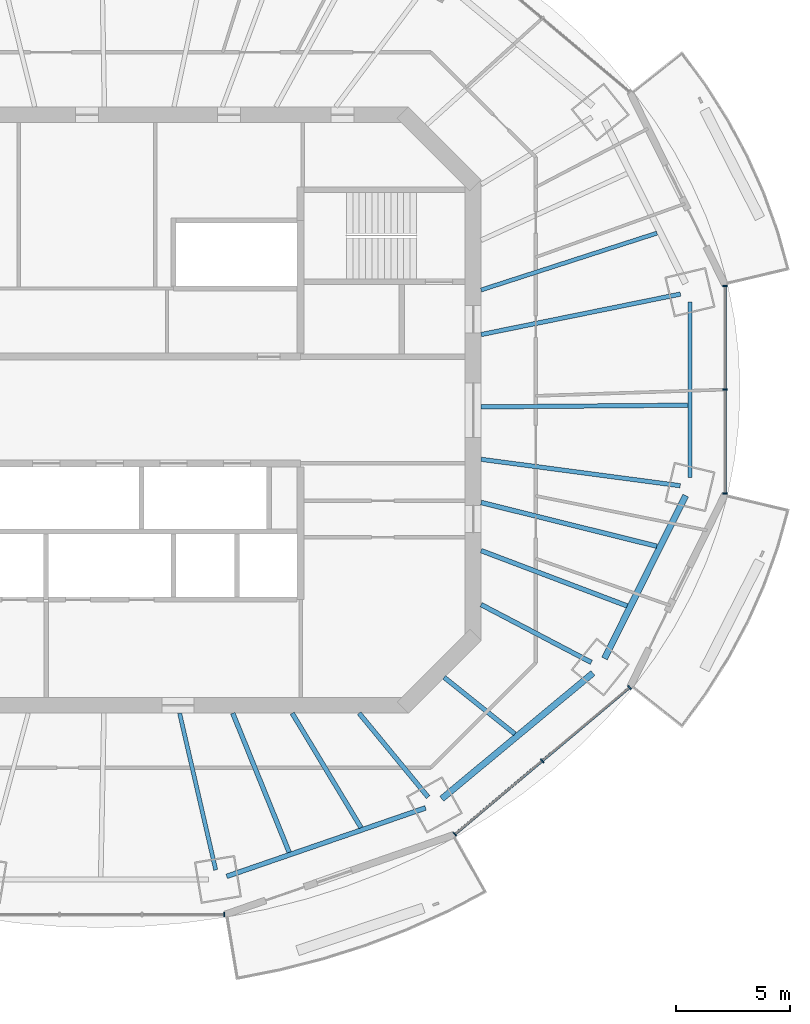
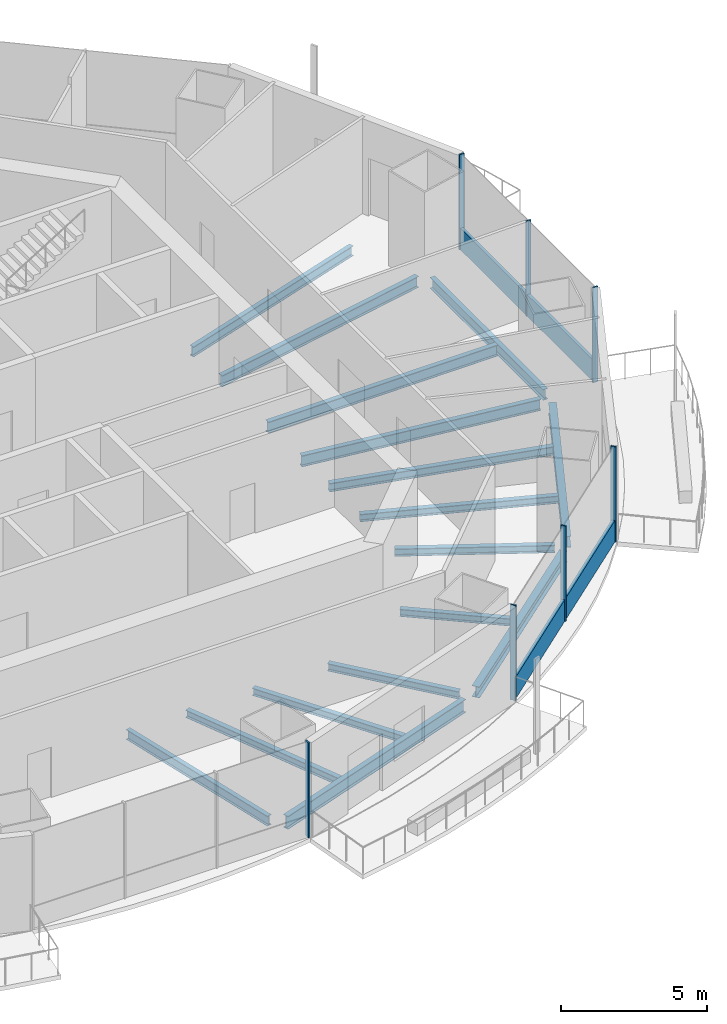
# One storey, part 4 of 16: 16 beams, 9 members, 3 elements without a shape of their own.
"""IFC4 building model written with IfcOpenShell, lengths in metres."""

from ifc_helpers import new_model, si_unit, direction, frame, origin, origin_2d, place, context, subcontext, project, spatial, rectangle, i_section, extrude, material, material_profile, profile_set, type_object, element, aggregate, save


model = new_model("IFC4")

# Units and contexts
model_context = context("Model", 3, precision=1e-05, world=origin(), true_north=direction((0.0, 1.0)))
body_context = subcontext(model_context, "Body", "Model", "MODEL_VIEW")
ifc_project = project(units=[si_unit("LENGTHUNIT", "METRE"), si_unit("AREAUNIT", "SQUARE_METRE"), si_unit("VOLUMEUNIT", "CUBIC_METRE"), si_unit("PLANEANGLEUNIT", "RADIAN"), si_unit("MASSUNIT", "GRAM", prefix="KILO")], contexts=[model_context])

# Site, building, storey
site_placement = place(None, origin())
site = spatial("IfcSite", under=ifc_project, at=site_placement, CompositionType="ELEMENT")
building_placement = place(site_placement, origin())
building = spatial("IfcBuilding", under=site, at=building_placement, Name="Marenthal Gate Tower", CompositionType="ELEMENT")
storey_placement = place(building_placement, frame((0.0, 0.0, 309.39990234375)))
storey = spatial("IfcBuildingStorey", under=building, at=storey_placement, Name="L69", CompositionType="ELEMENT", Elevation=309.39990234375)

# Curtain wall, member
ifc_material_1 = material(Name="Aluminium and glass", Category="aluminium")
curtain_wall_type = type_object("IfcCurtainWallType", Name="Curtain wall typical high", PredefinedType="NOTDEFINED", material=ifc_material_1)
curtain_wall_1_placement = place(storey_placement, origin())
curtain_wall_1 = element("IfcCurtainWall", 1, at=curtain_wall_1_placement, inside=storey, type_object=curtain_wall_type, Name="Curtain wall L69 bay 12", PredefinedType="NOTDEFINED")
ifc_material_2 = material(Name="Aluminium", Category="aluminium")
ifc_material_profile_1 = material_profile(ifc_material_2, rectangle(XDim=0.199951171875, YDim=0.06005859375, at=origin_2d()), Name="60x200 aluminium mullion")
ifc_profile_set_1 = profile_set([ifc_material_profile_1], Name="Aluminium")
member_type_1 = type_object("IfcMemberType", Name="Mullion 60x200 typical high", PredefinedType="MULLION", material=ifc_profile_set_1)
member_1_placement = place(storey_placement, frame((5.039306640625, -22.218994140625, 0.0), z_axis=(0.0, 0.0, 1.0), x_axis=(0.0, 1.0, 0.0)))
member_1 = element("IfcMember", 2, at=member_1_placement, type_object=member_type_1, Name="Mullion L69 bay 12.4", PredefinedType="MULLION", context=body_context, shape_type="SweptSolid", body=[
    extrude(rectangle(XDim=0.199951171875, YDim=0.06005859375, at=origin_2d()), origin(), (0.0, 0.0, 1.0), 3.97021484375),
])
aggregate(curtain_wall_1, [member_1])

# Curtain wall, members
curtain_wall_2_placement = place(storey_placement, origin())
curtain_wall_2 = element("IfcCurtainWall", 3, at=curtain_wall_2_placement, inside=storey, type_object=curtain_wall_type, Name="Curtain wall L69 bay 14", PredefinedType="NOTDEFINED")
member_2_placement = place(storey_placement, frame((15.19775390625, -18.68017578125, 0.0), z_axis=(0.0, 0.0, 1.0), x_axis=(-0.643570293048, 0.765387011848, 0.0)))
member_2 = element("IfcMember", 4, at=member_2_placement, type_object=member_type_1, Name="Mullion L69 bay 14.1", PredefinedType="MULLION", context=body_context, shape_type="SweptSolid", body=[
    extrude(rectangle(XDim=0.199951171875, YDim=0.06005859375, at=origin_2d()), origin(), (0.0, 0.0, 1.0), 3.97021484375),
])
member_3_placement = place(storey_placement, frame((19.042236328125, -15.44775390625, 0.0), z_axis=(0.0, 0.0, 1.0), x_axis=(-0.643570293048, 0.765387011848, 0.0)))
member_3 = element("IfcMember", 5, at=member_3_placement, type_object=member_type_1, Name="Mullion L69 bay 14.2", PredefinedType="MULLION", context=body_context, shape_type="SweptSolid", body=[
    extrude(rectangle(XDim=0.199951171875, YDim=0.06005859375, at=origin_2d()), origin(), (0.0, 0.0, 1.0), 3.97021484375),
])
member_4_placement = place(storey_placement, frame((22.886474609375, -12.21533203125, 0.0), z_axis=(0.0, 0.0, 1.0), x_axis=(-0.643570293048, 0.765387011848, 0.0)))
member_4 = element("IfcMember", 6, at=member_4_placement, type_object=member_type_1, Name="Mullion L69 bay 14.3", PredefinedType="MULLION", context=body_context, shape_type="SweptSolid", body=[
    extrude(rectangle(XDim=0.199951171875, YDim=0.06005859375, at=origin_2d()), origin(), (0.0, 0.0, 1.0), 3.97021484375),
])

curtain_wall_3_placement = place(storey_placement, origin())
curtain_wall_3 = element("IfcCurtainWall", 7, at=curtain_wall_3_placement, inside=storey, type_object=curtain_wall_type, Name="Curtain wall L69 bay 16", PredefinedType="NOTDEFINED")
member_5_placement = place(storey_placement, frame((27.09521484375, -3.668701171875, 0.0), z_axis=(0.0, 0.0, 1.0), x_axis=(-1.0, 0.0, 0.0)))
member_5 = element("IfcMember", 8, at=member_5_placement, type_object=member_type_1, Name="Mullion L69 bay 16.1", PredefinedType="MULLION", context=body_context, shape_type="SweptSolid", body=[
    extrude(rectangle(XDim=0.199951171875, YDim=0.06005859375, at=origin_2d()), origin(), (0.0, 0.0, 1.0), 3.97021484375),
])
member_6_placement = place(storey_placement, frame((27.09521484375, 0.89990234375, 0.0), z_axis=(0.0, 0.0, 1.0), x_axis=(-1.0, 0.0, 0.0)))
member_6 = element("IfcMember", 9, at=member_6_placement, type_object=member_type_1, Name="Mullion L69 bay 16.2", PredefinedType="MULLION", context=body_context, shape_type="SweptSolid", body=[
    extrude(rectangle(XDim=0.199951171875, YDim=0.06005859375, at=origin_2d()), origin(), (0.0, 0.0, 1.0), 3.97021484375),
])
member_7_placement = place(storey_placement, frame((27.09521484375, 5.46875, 0.0), z_axis=(0.0, 0.0, 1.0), x_axis=(-1.0, 0.0, 0.0)))
member_7 = element("IfcMember", 10, at=member_7_placement, type_object=member_type_1, Name="Mullion L69 bay 16.3", PredefinedType="MULLION", context=body_context, shape_type="SweptSolid", body=[
    extrude(rectangle(XDim=0.199951171875, YDim=0.06005859375, at=origin_2d()), origin(), (0.0, 0.0, 1.0), 3.97021484375),
])

# Member
ifc_material_3 = material(Name="Aluminium", Category="aluminium")
ifc_material_profile_2 = material_profile(ifc_material_3, rectangle(XDim=0.1201171875, YDim=0.89990234375, at=origin_2d()), Name="120x900 aluminium transom")
ifc_profile_set_2 = profile_set([ifc_material_profile_2], Name="Aluminium")
member_type_2 = type_object("IfcMemberType", Name="Transom 120x900 typical high", PredefinedType="USERDEFINED", material=ifc_profile_set_2)
member_8_placement = place(storey_placement, frame((15.220703125, -18.660888671875, 0.4501953125), z_axis=(0.765394109839, 0.643561851436, 0.0), x_axis=(-0.643561851436, 0.765394109839, 0.0)))
member_8 = element("IfcMember", 11, at=member_8_placement, type_object=member_type_2, Name="Transom L69 bay 14", ObjectType="TRANSOM", PredefinedType="USERDEFINED", context=body_context, shape_type="SweptSolid", body=[
    extrude(rectangle(XDim=0.1201171875, YDim=0.89990234375, at=origin_2d()), origin(), (0.0, 0.0, 1.0), 9.9853515625),
])

aggregate(curtain_wall_2, [member_2, member_3, member_4, member_8])

member_9_placement = place(storey_placement, frame((27.09521484375, -3.638671875, 0.4501953125), z_axis=(0.0, 1.0, 0.0), x_axis=(-1.0, 0.0, 0.0)))
member_9 = element("IfcMember", 12, at=member_9_placement, type_object=member_type_2, Name="Transom L69 bay 16", ObjectType="TRANSOM", PredefinedType="USERDEFINED", context=body_context, shape_type="SweptSolid", body=[
    extrude(rectangle(XDim=0.1201171875, YDim=0.89990234375, at=origin_2d()), origin(), (0.0, 0.0, 1.0), 9.077392578125),
])

aggregate(curtain_wall_3, [member_5, member_6, member_7, member_9])

# Beams
ifc_material_4 = material(Name="Steel S355", Category="steel")
ifc_material_profile_3 = material_profile(ifc_material_4, i_section(OverallWidth=0.202880859375, OverallDepth=0.302001953125, WebThickness=0.007568359375, FlangeThickness=0.01318359375, FilletRadius=0.0126953125, at=origin_2d()), Name="W310X60")
ifc_profile_set_3 = profile_set([ifc_material_profile_3], Name="Steel S355")
beam_type_1 = type_object("IfcBeamType", Name="W310X60 beam", PredefinedType="BEAM", material=ifc_profile_set_3)
beam_1_placement = place(storey_placement, frame((11.0625, -18.387451171875, -0.330810546875), z_axis=(-0.515539703432, 0.856865692034, 0.0), x_axis=(-0.856865692034, -0.515539703432, 0.0)))
element("IfcBeam", 13, at=beam_1_placement, inside=storey, type_object=beam_type_1, Name="BM-L69-36", PredefinedType="BEAM", context=body_context, shape_type="SweptSolid", body=[
    extrude(i_section(OverallWidth=0.202880859375, OverallDepth=0.302001953125, WebThickness=0.007568359375, FlangeThickness=0.01318359375, FilletRadius=0.0126953125, at=origin_2d()), origin(), (0.0, 0.0, 1.0), 5.87890625),
])
beam_2_placement = place(storey_placement, frame((17.835205078125, -14.262939453125, -0.330810546875), z_axis=(-0.781000235205, 0.624530729916, 0.0), x_axis=(-0.624530729916, -0.781000235205, 0.0)))
element("IfcBeam", 14, at=beam_2_placement, inside=storey, type_object=beam_type_1, Name="BM-L69-37", PredefinedType="BEAM", context=body_context, shape_type="SweptSolid", body=[
    extrude(i_section(OverallWidth=0.202880859375, OverallDepth=0.302001953125, WebThickness=0.007568359375, FlangeThickness=0.01318359375, FilletRadius=0.0126953125, at=origin_2d()), origin(), (0.0, 0.0, 1.0), 3.986572265625),
])
ifc_material_5 = material(Name="Steel S355", Category="steel")
ifc_material_profile_4 = material_profile(ifc_material_5, i_section(OverallWidth=0.205078125, OverallDepth=0.31005859375, WebThickness=0.009521484375, FlangeThickness=0.016357421875, FilletRadius=0.0126953125, at=origin_2d()), Name="W310X74")
ifc_profile_set_4 = profile_set([ifc_material_profile_4], Name="Steel S355")
beam_type_2 = type_object("IfcBeamType", Name="W310X74 beam", PredefinedType="BEAM", material=ifc_profile_set_4)
beam_3_placement = place(storey_placement, frame((14.017333984375, -17.045654296875, -0.3349609375), z_axis=(-0.63516696208, 0.772374863834, 0.0), x_axis=(-0.772374863834, -0.63516696208, 0.0)))
element("IfcBeam", 15, at=beam_3_placement, inside=storey, type_object=beam_type_2, Name="BM-L69-14", PredefinedType="BEAM", context=body_context, shape_type="SweptSolid", body=[
    extrude(i_section(OverallWidth=0.205078125, OverallDepth=0.31005859375, WebThickness=0.009521484375, FlangeThickness=0.016357421875, FilletRadius=0.0126953125, at=origin_2d()), origin(), (0.0, 0.0, 1.0), 4.78466796875),
])
beam_4_placement = place(storey_placement, frame((21.20361328125, -11.112548828125, -0.3349609375), z_axis=(-0.885727739451, 0.464205096446, 0.0), x_axis=(-0.464205096446, -0.885727739451, 0.0)))
element("IfcBeam", 16, at=beam_4_placement, inside=storey, type_object=beam_type_2, Name="BM-L69-15", PredefinedType="BEAM", context=body_context, shape_type="SweptSolid", body=[
    extrude(i_section(OverallWidth=0.205078125, OverallDepth=0.31005859375, WebThickness=0.009521484375, FlangeThickness=0.016357421875, FilletRadius=0.0126953125, at=origin_2d()), origin(), (0.0, 0.0, 1.0), 5.479736328125),
])
beam_5_placement = place(storey_placement, frame((7.899658203125, -19.4765625, -0.3349609375), z_axis=(-0.375855967573, 0.926678094939, 0.0), x_axis=(-0.926678094939, -0.375855967573, 0.0)))
element("IfcBeam", 17, at=beam_5_placement, inside=storey, type_object=beam_type_2, Name="BM-L69-35", PredefinedType="BEAM", context=body_context, shape_type="SweptSolid", body=[
    extrude(i_section(OverallWidth=0.205078125, OverallDepth=0.31005859375, WebThickness=0.009521484375, FlangeThickness=0.016357421875, FilletRadius=0.0126953125, at=origin_2d()), origin(), (0.0, 0.0, 1.0), 6.611328125),
])
beam_6_placement = place(storey_placement, frame((22.78125, -8.6259765625, -0.3349609375), z_axis=(-0.935206835356, 0.354101927562, 0.0), x_axis=(-0.354101927562, -0.935206835356, 0.0)))
element("IfcBeam", 18, at=beam_6_placement, inside=storey, type_object=beam_type_2, Name="BM-L69-38", PredefinedType="BEAM", context=body_context, shape_type="SweptSolid", body=[
    extrude(i_section(OverallWidth=0.205078125, OverallDepth=0.31005859375, WebThickness=0.009521484375, FlangeThickness=0.016357421875, FilletRadius=0.0126953125, at=origin_2d()), origin(), (0.0, 0.0, 1.0), 6.876708984375),
])
ifc_material_6 = material(Name="Steel S355", Category="steel")
ifc_material_profile_5 = material_profile(ifc_material_6, i_section(OverallWidth=0.205078125, OverallDepth=0.35302734375, WebThickness=0.009521484375, FlangeThickness=0.016845703125, FilletRadius=0.014892578125, at=origin_2d()), Name="W360X79")
ifc_profile_set_5 = profile_set([ifc_material_profile_5], Name="Steel S355")
beam_type_3 = type_object("IfcBeamType", Name="W360X79 beam", PredefinedType="BEAM", material=ifc_profile_set_5)
beam_7_placement = place(storey_placement, frame((24.09033203125, -5.998291015625, -0.3564453125), z_axis=(-0.970372516845, 0.241613696946, 0.0), x_axis=(-0.241613696946, -0.970372516845, 0.0)))
element("IfcBeam", 19, at=beam_7_placement, inside=storey, type_object=beam_type_3, Name="BM-L69-39", PredefinedType="BEAM", context=body_context, shape_type="SweptSolid", body=[
    extrude(i_section(OverallWidth=0.205078125, OverallDepth=0.35302734375, WebThickness=0.009521484375, FlangeThickness=0.016845703125, FilletRadius=0.014892578125, at=origin_2d()), origin(), (0.0, 0.0, 1.0), 7.9765625),
])
ifc_material_7 = material(Name="Steel S355", Category="steel")
ifc_material_profile_6 = material_profile(ifc_material_7, i_section(OverallWidth=0.180908203125, OverallDepth=0.4169921875, WebThickness=0.010986328125, FlangeThickness=0.018310546875, FilletRadius=0.01025390625, at=origin_2d()), Name="W410X85")
ifc_profile_set_6 = profile_set([ifc_material_profile_6], Name="Steel S355")
beam_type_4 = type_object("IfcBeamType", Name="W410X85 beam", PredefinedType="BEAM", material=ifc_profile_set_6)
beam_8_placement = place(storey_placement, frame((4.6650390625, -20.25341796875, -0.388427734375), z_axis=(-0.224459287832, 0.974483467333, 0.0), x_axis=(-0.974483467333, -0.224459287832, 0.0)))
element("IfcBeam", 20, at=beam_8_placement, inside=storey, type_object=beam_type_4, Name="BM-L69-13", PredefinedType="BEAM", context=body_context, shape_type="SweptSolid", body=[
    extrude(i_section(OverallWidth=0.180908203125, OverallDepth=0.4169921875, WebThickness=0.010986328125, FlangeThickness=0.018310546875, FilletRadius=0.01025390625, at=origin_2d()), origin(), (0.0, 0.0, 1.0), 7.083984375),
])
beam_9_placement = place(storey_placement, frame((24.0947265625, 7.78955078125, -0.388427734375), z_axis=(-0.951514772772, -0.307603051345, 0.0), x_axis=(0.307603051345, -0.951514772772, 0.0)))
element("IfcBeam", 21, at=beam_9_placement, inside=storey, type_object=beam_type_4, Name="BM-L69-17", PredefinedType="BEAM", context=body_context, shape_type="SweptSolid", body=[
    extrude(i_section(OverallWidth=0.180908203125, OverallDepth=0.4169921875, WebThickness=0.010986328125, FlangeThickness=0.018310546875, FilletRadius=0.01025390625, at=origin_2d()), origin(), (0.0, 0.0, 1.0), 8.13916015625),
])
ifc_material_8 = material(Name="Steel S355", Category="steel")
ifc_material_profile_7 = material_profile(ifc_material_8, i_section(OverallWidth=0.279052734375, OverallDepth=0.4619140625, WebThickness=0.0107421875, FlangeThickness=0.017333984375, FilletRadius=0.010009765625, at=origin_2d()), Name="W460X113")
ifc_profile_set_7 = profile_set([ifc_material_profile_7], Name="Steel S355")
beam_type_5 = type_object("IfcBeamType", Name="W460X113 beam", PredefinedType="BEAM", material=ifc_profile_set_7)
beam_10_placement = place(storey_placement, frame((14.616943359375, -17.119873046875, -0.410888671875), z_axis=(0.768976642978, 0.639276874722, 0.0), x_axis=(-0.639276874722, 0.768976642978, 0.0)))
element("IfcBeam", 22, at=beam_10_placement, inside=storey, type_object=beam_type_5, Name="BM-L69-54", PredefinedType="BEAM", context=body_context, shape_type="SweptSolid", body=[
    extrude(i_section(OverallWidth=0.279052734375, OverallDepth=0.4619140625, WebThickness=0.0107421875, FlangeThickness=0.017333984375, FilletRadius=0.010009765625, at=origin_2d()), origin(), (0.0, 0.0, 1.0), 8.656982421875),
])
beam_11_placement = place(storey_placement, frame((21.783447265625, -10.941162109375, -0.410888671875), z_axis=(0.445969956735, 0.895047930387, 0.0), x_axis=(-0.895047930387, 0.445969956735, 0.0)))
element("IfcBeam", 23, at=beam_11_placement, inside=storey, type_object=beam_type_5, Name="BM-L69-55", PredefinedType="BEAM", context=body_context, shape_type="SweptSolid", body=[
    extrude(i_section(OverallWidth=0.279052734375, OverallDepth=0.4619140625, WebThickness=0.0107421875, FlangeThickness=0.017333984375, FilletRadius=0.010009765625, at=origin_2d()), origin(), (0.0, 0.0, 1.0), 8.01220703125),
])
ifc_material_9 = material(Name="Steel S355", Category="steel")
ifc_material_profile_8 = material_profile(ifc_material_9, i_section(OverallWidth=0.19091796875, OverallDepth=0.45703125, WebThickness=0.009033203125, FlangeThickness=0.014404296875, FilletRadius=0.01025390625, at=origin_2d()), Name="W460X74")
ifc_profile_set_8 = profile_set([ifc_material_profile_8], Name="Steel S355")
beam_type_6 = type_object("IfcBeamType", Name="W460X74 beam", PredefinedType="BEAM", material=ifc_profile_set_8)
beam_12_placement = place(storey_placement, frame((25.545654296875, -2.965087890625, -0.408447265625), z_axis=(0.0, 1.0, 0.0), x_axis=(-1.0, 0.0, 0.0)))
element("IfcBeam", 24, at=beam_12_placement, inside=storey, type_object=beam_type_6, Name="BM-L69-56", PredefinedType="BEAM", context=body_context, shape_type="SweptSolid", body=[
    extrude(i_section(OverallWidth=0.19091796875, OverallDepth=0.45703125, WebThickness=0.009033203125, FlangeThickness=0.014404296875, FilletRadius=0.01025390625, at=origin_2d()), origin(), (0.0, 0.0, 1.0), 7.72998046875),
])
ifc_material_10 = material(Name="Steel S355", Category="steel")
ifc_material_profile_9 = material_profile(ifc_material_10, i_section(OverallWidth=0.193115234375, OverallDepth=0.467041015625, WebThickness=0.011474609375, FlangeThickness=0.01904296875, FilletRadius=0.010009765625, at=origin_2d()), Name="W460X97")
ifc_profile_set_9 = profile_set([ifc_material_profile_9], Name="Steel S355")
beam_type_7 = type_object("IfcBeamType", Name="W460X97 beam", PredefinedType="BEAM", material=ifc_profile_set_9)
beam_13_placement = place(storey_placement, frame((25.128662109375, 5.105712890625, -0.413330078125), z_axis=(-0.979975438503, -0.199118406811, 0.0), x_axis=(0.199118406811, -0.979975438503, 0.0)))
element("IfcBeam", 25, at=beam_13_placement, inside=storey, type_object=beam_type_7, Name="BM-L69-01", PredefinedType="BEAM", context=body_context, shape_type="SweptSolid", body=[
    extrude(i_section(OverallWidth=0.193115234375, OverallDepth=0.467041015625, WebThickness=0.011474609375, FlangeThickness=0.01904296875, FilletRadius=0.010009765625, at=origin_2d()), origin(), (0.0, 0.0, 1.0), 8.9580078125),
])
beam_14_placement = place(storey_placement, frame((25.11962890625, -3.333984375, -0.413330078125), z_axis=(-0.991304860483, 0.131585233151, 0.0), x_axis=(-0.131585233151, -0.991304860483, 0.0)))
element("IfcBeam", 26, at=beam_14_placement, inside=storey, type_object=beam_type_7, Name="BM-L69-16", PredefinedType="BEAM", context=body_context, shape_type="SweptSolid", body=[
    extrude(i_section(OverallWidth=0.193115234375, OverallDepth=0.467041015625, WebThickness=0.011474609375, FlangeThickness=0.01904296875, FilletRadius=0.010009765625, at=origin_2d()), origin(), (0.0, 0.0, 1.0), 8.846435546875),
])
beam_15_placement = place(storey_placement, frame((25.4501953125, 0.212646484375, -0.413330078125), z_axis=(-0.999965193841, -0.008343327126, 0.0), x_axis=(0.008343327126, -0.999965193841, 0.0)))
element("IfcBeam", 27, at=beam_15_placement, inside=storey, type_object=beam_type_7, Name="BM-L69-40", PredefinedType="BEAM", context=body_context, shape_type="SweptSolid", body=[
    extrude(i_section(OverallWidth=0.193115234375, OverallDepth=0.467041015625, WebThickness=0.011474609375, FlangeThickness=0.01904296875, FilletRadius=0.010009765625, at=origin_2d()), origin(), (0.0, 0.0, 1.0), 9.100341796875),
])
ifc_material_11 = material(Name="Steel S355", Category="steel")
ifc_material_profile_10 = material_profile(ifc_material_11, i_section(OverallWidth=0.2119140625, OverallDepth=0.5439453125, WebThickness=0.01318359375, FlangeThickness=0.021240234375, FilletRadius=0.0126953125, at=origin_2d()), Name="W530X123")
ifc_profile_set_10 = profile_set([ifc_material_profile_10], Name="Steel S355")
beam_type_8 = type_object("IfcBeamType", Name="W530X123 beam", PredefinedType="BEAM", material=ifc_profile_set_10)
beam_16_placement = place(storey_placement, frame((5.151123046875, -20.534912109375, -0.451904296875), z_axis=(0.945520555147, 0.325562405377, 0.0), x_axis=(-0.325562405377, 0.945520555147, 0.0)))
element("IfcBeam", 28, at=beam_16_placement, inside=storey, type_object=beam_type_8, Name="BM-L69-53", PredefinedType="BEAM", context=body_context, shape_type="SweptSolid", body=[
    extrude(i_section(OverallWidth=0.2119140625, OverallDepth=0.5439453125, WebThickness=0.01318359375, FlangeThickness=0.021240234375, FilletRadius=0.0126953125, at=origin_2d()), origin(), (0.0, 0.0, 1.0), 9.259033203125),
])

save(model, "model.ifc")
